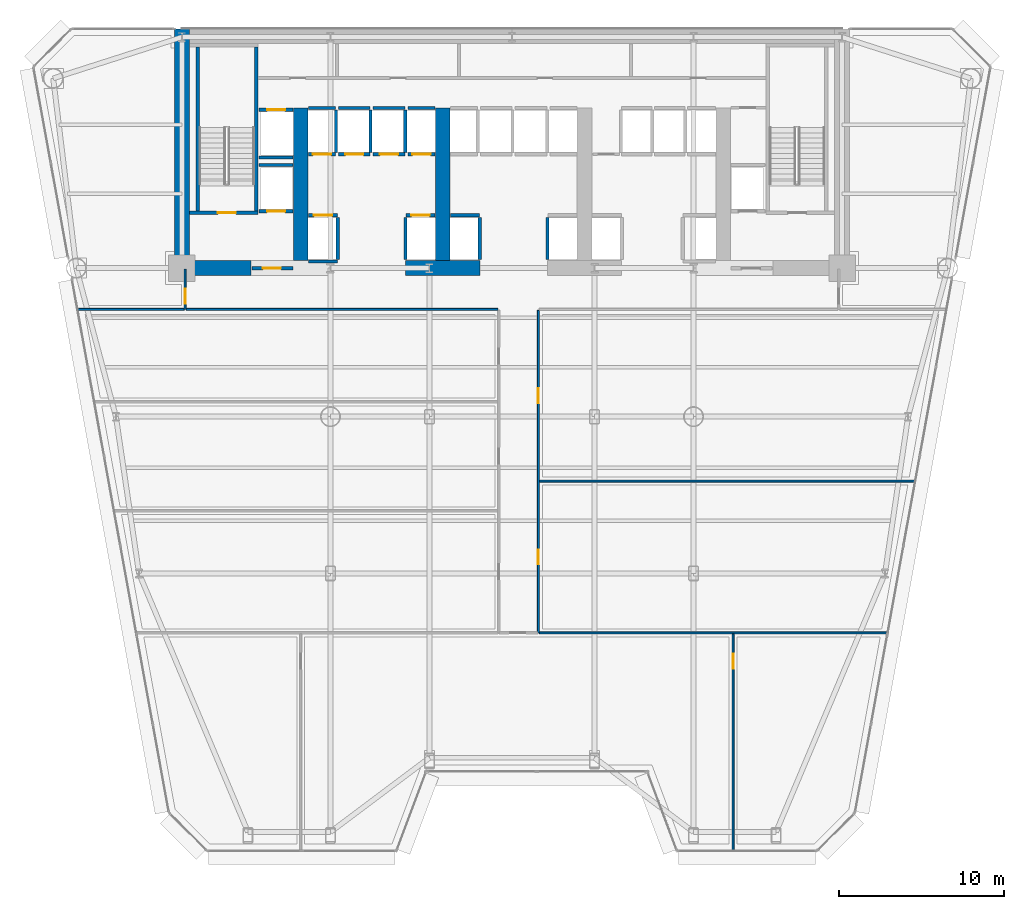
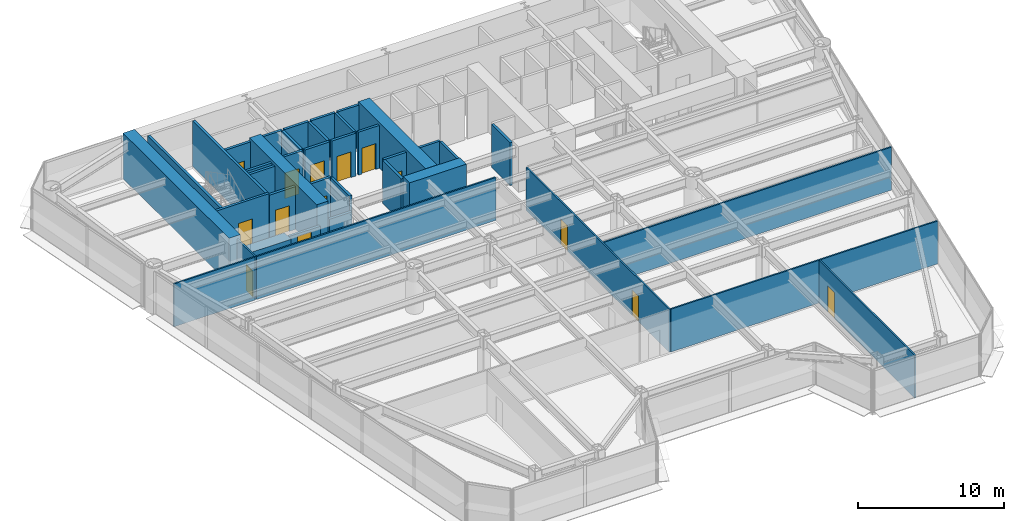
# One storey, part 8 of 14: 39 walls, 14 doors, 14 openings.
"""IFC4 building model written with IfcOpenShell, lengths in metres."""

import ifcopenshell
import ifcopenshell.guid

model = None  # the IFC model being written
_history = None  # IfcOwnerHistory: only IFC2X3 demands one
_inside = {}  # id of a spatial element -> (the spatial element, [elements in it])
_under = {}  # id of a project, library or spatial element -> (it, [spatial elements below it])
_declared = {}  # id of a project -> (the project, [libraries it declares])
_typed = {}  # id of a type object -> (the type object, [elements of that type])
_made_of = {}  # id of a material, layer set ... -> (it, [elements and type objects made of it])


def new_model(schema):
    """Start an empty IFC model of exactly this schema.

    Asked for "IFC4X3", IfcOpenShell would pick the latest addendum, in which some entities
    have other attributes; the version numbers below select the first issue.
    IFC2X3 requires an IfcOwnerHistory on every rooted entity: one is made here for all.
    """
    global model, _history
    if schema == "IFC4X3":
        model = ifcopenshell.file(schema_version=(4, 3, 0, 0))
    else:
        model = ifcopenshell.file(schema=schema)
    _inside.clear()
    _under.clear()
    _declared.clear()
    _typed.clear()
    _made_of.clear()
    _history = None
    if model.schema == "IFC2X3":
        org = make("IfcOrganization", Name="unknown")
        user = make(
            "IfcPersonAndOrganization",
            ThePerson=make("IfcPerson", FamilyName="unknown"),
            TheOrganization=org,
        )
        app = make(
            "IfcApplication",
            ApplicationDeveloper=org,
            Version="unknown",
            ApplicationFullName="unknown",
            ApplicationIdentifier="unknown",
        )
        _history = make(
            "IfcOwnerHistory",
            OwningUser=user,
            OwningApplication=app,
            ChangeAction="ADDED",
            CreationDate=0,
        )
    return model


def make(cls, **values):
    """One entity of the class cls with the attributes given. An attribute that is None is left unset."""
    return model.create_entity(
        cls, **{name: value for name, value in values.items() if value is not None}
    )


def rooted(cls, **values):
    """An entity with a GlobalId (a new one), such as an element, a storey or a relation."""
    return make(cls, GlobalId=ifcopenshell.guid.new(), OwnerHistory=_history, **values)


def si_unit(unit_type, name, prefix=None):
    """IfcSIUnit, for example si_unit("LENGTHUNIT", "METRE", prefix="MILLI")."""
    return make("IfcSIUnit", UnitType=unit_type, Prefix=prefix, Name=name)


def assignment(units):
    """IfcUnitAssignment: the units of a project."""
    return None if units is None else make("IfcUnitAssignment", Units=units)


def point(xyz):
    """IfcCartesianPoint."""
    return None if xyz is None else make("IfcCartesianPoint", Coordinates=xyz)


def direction(xyz):
    """IfcDirection."""
    return None if xyz is None else make("IfcDirection", DirectionRatios=xyz)


def frame(location, z_axis=None, x_axis=None):
    """IfcAxis2Placement3D, a coordinate frame: its origin and axes. An axis left out is left unset."""
    return make(
        "IfcAxis2Placement3D",
        Location=point(location),
        Axis=direction(z_axis),
        RefDirection=direction(x_axis),
    )


def frame_2d(location, x_axis=None):
    """IfcAxis2Placement2D, a coordinate frame in the plane: its origin and x axis."""
    return make(
        "IfcAxis2Placement2D", Location=point(location), RefDirection=direction(x_axis)
    )


def origin():
    """The frame at (0, 0, 0) with its axes left unset."""
    return frame((0.0, 0.0, 0.0))


def place(relative_to, where):
    """IfcLocalPlacement: puts the frame where relative to a parent placement (None: the world)."""
    return make(
        "IfcLocalPlacement", PlacementRelTo=relative_to, RelativePlacement=where
    )


def context(
    kind, dimensions, precision=None, world=None, true_north=None, identifier=None
):
    """IfcGeometricRepresentationContext, for example the 3D "Model" context."""
    return make(
        "IfcGeometricRepresentationContext",
        ContextIdentifier=identifier,
        ContextType=kind,
        CoordinateSpaceDimension=dimensions,
        Precision=precision,
        WorldCoordinateSystem=world,
        TrueNorth=true_north,
    )


def subcontext(parent, identifier, kind, view, scale=None):
    """IfcGeometricRepresentationSubContext, for example "Body" below "Model"."""
    return make(
        "IfcGeometricRepresentationSubContext",
        ContextIdentifier=identifier,
        ContextType=kind,
        ParentContext=parent,
        TargetScale=scale,
        TargetView=view,
    )


def project(units=None, contexts=None):
    """IfcProject with its units and contexts."""
    return rooted(
        "IfcProject",
        Name="project",
        RepresentationContexts=contexts,
        UnitsInContext=assignment(units),
    )


def spatial(cls, under=None, at=None, **own):
    """A site, building, storey or space (cls), placed at a placement, below another one or the project."""
    s = rooted(cls, ObjectPlacement=at, **own)
    if under is not None:
        _under.setdefault(under.id(), (under, []))[1].append(s)
    return s


def profile(cls, at=None, kind="AREA", **sizes):
    """A parametric profile (cls). Its sizes go by their IFC names, for example OverallWidth=200.0."""
    return make(cls, ProfileType=kind, Position=at, **sizes)


def rectangle(**sizes):
    """IfcRectangleProfileDef."""
    return profile("IfcRectangleProfileDef", **sizes)


def extrude(swept, where, along, depth):
    """IfcExtrudedAreaSolid: the profile swept, set in the frame where, extruded along a direction by depth."""
    return make(
        "IfcExtrudedAreaSolid",
        SweptArea=swept,
        Position=where,
        ExtrudedDirection=direction(along),
        Depth=depth,
    )


def shape(context_of_items, identifier, shape_type, items):
    """IfcShapeRepresentation: the items that make up one representation, for example the "Body"."""
    return make(
        "IfcShapeRepresentation",
        ContextOfItems=context_of_items,
        RepresentationIdentifier=identifier,
        RepresentationType=shape_type,
        Items=items,
    )


def source(mapping_origin, context_of_items, identifier, shape_type, items):
    """IfcRepresentationMap: a shape defined once, which mapped items show again and again."""
    return make(
        "IfcRepresentationMap",
        MappingOrigin=mapping_origin,
        MappedRepresentation=shape(context_of_items, identifier, shape_type, items),
    )


def transform(
    local_origin,
    x_axis=None,
    y_axis=None,
    z_axis=None,
    scale=None,
    scale2=None,
    scale3=None,
    uniform=True,
):
    """IfcCartesianTransformationOperator3D, or its non-uniform kind. x_axis, y_axis, z_axis: its Axis1, 2, 3."""
    if uniform:
        return make(
            "IfcCartesianTransformationOperator3D",
            Axis1=direction(x_axis),
            Axis2=direction(y_axis),
            LocalOrigin=point(local_origin),
            Scale=scale,
            Axis3=direction(z_axis),
        )
    return make(
        "IfcCartesianTransformationOperator3DnonUniform",
        Axis1=direction(x_axis),
        Axis2=direction(y_axis),
        LocalOrigin=point(local_origin),
        Scale=scale,
        Axis3=direction(z_axis),
        Scale2=scale2,
        Scale3=scale3,
    )


def mapped(mapping_source, mapping_target):
    """IfcMappedItem: shows the shape of a source again, moved by a transform."""
    return make(
        "IfcMappedItem", MappingSource=mapping_source, MappingTarget=mapping_target
    )


def material(Name=None, Category=None):
    """IfcMaterial."""
    return make("IfcMaterial", Name=Name, Category=Category)


def layer(
    of_material, thickness, ventilated=None, Name=None, Category=None, Priority=None
):
    """IfcMaterialLayer: one layer of a wall or slab, of a material (None: an air gap)."""
    return make(
        "IfcMaterialLayer",
        Material=of_material,
        LayerThickness=thickness,
        IsVentilated=ventilated,
        Name=Name,
        Category=Category,
        Priority=Priority,
    )


def layer_set(layers, Name=None):
    """IfcMaterialLayerSet."""
    return make("IfcMaterialLayerSet", MaterialLayers=layers, LayerSetName=Name)


def made_of(thing, what):
    """Note that an element or type object is made of a material, layer set ...; save() writes the relation."""
    if what is not None:
        _made_of.setdefault(what.id(), (what, []))[1].append(thing)
    return thing


def type_object(cls, material=None, **own):
    """A type object (cls), such as IfcWallType, which elements share."""
    return made_of(rooted(cls, **own), material)


def element(
    cls,
    number,
    at=None,
    inside=None,
    cuts=None,
    type_object=None,
    material=None,
    context=None,
    identifier="Body",
    shape_type=None,
    held_by="IfcProductDefinitionShape",
    body=None,
    shapes=None,
    **own,
):
    """One element of the class cls, such as IfcWall. Its Tag is "e" and its number.

    at: its placement. inside: the storey or other place that contains it. cuts: it is an
    opening in that element (IfcRelVoidsElement). A single representation is given by context,
    identifier, shape_type and body (its items); several are given by shapes. held_by: the class
    of the entity that holds the representations. save() writes the other relations.
    """
    e = rooted(cls, Tag="e%d" % number, ObjectPlacement=at, **own)
    if body is not None:
        shapes = [shape(context, identifier, shape_type, body)]
    if shapes is not None:
        e.Representation = make(held_by, Representations=shapes)
    if inside is not None:
        _inside.setdefault(inside.id(), (inside, []))[1].append(e)
    if cuts is not None:
        rooted(
            "IfcRelVoidsElement", RelatingBuildingElement=cuts, RelatedOpeningElement=e
        )
    if type_object is not None:
        _typed.setdefault(type_object.id(), (type_object, []))[1].append(e)
    return made_of(e, material)


def fill(opening, filler):
    """IfcRelFillsElement: the door or window that sits in an opening."""
    return rooted(
        "IfcRelFillsElement",
        RelatingOpeningElement=opening,
        RelatedBuildingElement=filler,
    )


def aggregate(whole, parts):
    """IfcRelAggregates: a whole, such as a stair, and the parts it consists of."""
    return rooted("IfcRelAggregates", RelatingObject=whole, RelatedObjects=parts)


def save(model, path):
    """Write the relations noted so far, then the file.

    IfcRelAggregates (storeys below a building ...), IfcRelContainedInSpatialStructure (elements
    in a storey), IfcRelDefinesByType, IfcRelAssociatesMaterial and IfcRelDeclares: one each for
    every whole, place, type object, material and project.
    """
    for whole, parts in _under.values():
        aggregate(whole, parts)
    for where, things in _inside.values():
        rooted(
            "IfcRelContainedInSpatialStructure",
            RelatedElements=things,
            RelatingStructure=where,
        )
    for kind, things in _typed.values():
        rooted("IfcRelDefinesByType", RelatedObjects=things, RelatingType=kind)
    for what, things in _made_of.values():
        rooted("IfcRelAssociatesMaterial", RelatedObjects=things, RelatingMaterial=what)
    for by, libraries in _declared.values():
        rooted("IfcRelDeclares", RelatingContext=by, RelatedDefinitions=libraries)
    model.write(path)


model = new_model("IFC4")

# Units and contexts
model_context = context("Model", 3, precision=1e-05, world=origin(), true_north=direction((0.0, 1.0)))
body_context = subcontext(model_context, "Body", "Model", "MODEL_VIEW")
ifc_project = project(units=[si_unit("LENGTHUNIT", "METRE"), si_unit("AREAUNIT", "SQUARE_METRE"), si_unit("VOLUMEUNIT", "CUBIC_METRE"), si_unit("PLANEANGLEUNIT", "RADIAN"), si_unit("MASSUNIT", "GRAM", prefix="KILO")], contexts=[model_context])

# Site, building, storey
site_placement = place(None, origin())
site = spatial("IfcSite", under=ifc_project, at=site_placement, CompositionType="ELEMENT")
building_placement = place(site_placement, origin())
building = spatial("IfcBuilding", under=site, at=building_placement, Name="Vaeldorn Concourse Tower", CompositionType="ELEMENT")
storey_placement = place(building_placement, frame((0.0, 0.0, 37.800048828125)))
storey = spatial("IfcBuildingStorey", under=building, at=storey_placement, Name="L09", CompositionType="ELEMENT", Elevation=37.800048828125)

# Walls
ifc_material_1 = material(Name="Concrete C60/75", Category="concrete")
ifc_layer_1 = layer(ifc_material_1, 0.89990234375)
ifc_layer_set_1 = layer_set([ifc_layer_1], Name="Concrete C60/75")
wall_type_1 = type_object("IfcWallType", Name="WL-CORE-900", PredefinedType="SHEAR", material=ifc_layer_set_1)
wall_1_placement = place(storey_placement, frame((14.0, 36.5, 0.0), z_axis=(0.0, 0.0, 1.0), x_axis=(0.0, 1.0, 0.0)))
element("IfcWall", 1, at=wall_1_placement, inside=storey, type_object=wall_type_1, Name="Rear Core Shear Wall L09 W1", PredefinedType="SHEAR", context=body_context, shape_type="SweptSolid", body=[
    extrude(rectangle(XDim=14.5, YDim=0.89990234375, at=frame_2d((7.25, 0.0))), origin(), (0.0, 0.0, 1.0), 3.800048828125),
])
wall_2_placement = place(storey_placement, frame((14.469970703125, 36.5, 0.0), z_axis=(0.0, 0.0, 1.0), x_axis=(1.0, 0.0, 0.0)))
element("IfcWall", 2, at=wall_2_placement, inside=storey, type_object=wall_type_1, Name="Rear Core Shear Wall L09 S1", PredefinedType="SHEAR", context=body_context, shape_type="SweptSolid", body=[
    extrude(rectangle(XDim=3.72998046875, YDim=0.89990234375, at=frame_2d((1.864990234375, 0.0))), origin(), (0.0, 0.0, 1.0), 2.3798828125),
])
wall_3_placement = place(storey_placement, frame((27.550048828125, 36.5, 0.0), z_axis=(0.0, 0.0, 1.0), x_axis=(1.0, 0.0, 0.0)))
element("IfcWall", 3, at=wall_3_placement, inside=storey, type_object=wall_type_1, Name="Rear Core Shear Wall L09 S2", PredefinedType="SHEAR", context=body_context, shape_type="SweptSolid", body=[
    extrude(rectangle(XDim=4.5, YDim=0.89990234375, at=frame_2d((2.25, 0.0))), origin(), (0.0, 0.0, 1.0), 3.800048828125),
])
for number, where, z_axis, x_axis, name in (
    (4, (21.199951171875, 36.969970703125, 0.0), (0.0, 0.0, 1.0), (0.0, 1.0, 0.0), "Rear Core Shear Wall L09 M1"),
    (5, (29.800048828125, 36.969970703125, 0.0), (0.0, 0.0, 1.0), (0.0, 1.0, 0.0), "Rear Core Shear Wall L09 M2"),
):
    element("IfcWall", number, at=place(storey_placement, frame(where, z_axis=z_axis, x_axis=x_axis)), inside=storey, type_object=wall_type_1, Name=name, PredefinedType="SHEAR", context=body_context, shape_type="SweptSolid", body=[
        extrude(rectangle(XDim=9.22998046875, YDim=0.89990234375, at=frame_2d((4.614990234375, 0.0))), origin(), (0.0, 0.0, 1.0), 3.800048828125),
    ])
ifc_material_2 = material(Name="Gypsum Board Partition", Category="gypsum")
ifc_layer_2 = layer(ifc_material_2, 0.1201171875)
ifc_layer_set_2 = layer_set([ifc_layer_2], Name="Gypsum Board Partition")
wall_type_2 = type_object("IfcWallType", Name="WL-PART-120", PredefinedType="PARTITIONING", material=ifc_layer_set_2)
wall_4_placement = place(storey_placement, frame((14.260009765625, 34.0, 0.0), z_axis=(0.0, 0.0, 1.0), x_axis=(1.0, 0.0, 0.0)))
element("IfcWall", 6, at=wall_4_placement, inside=storey, type_object=wall_type_2, Name="Interior Wall PW-L09-C3SW", PredefinedType="PARTITIONING", context=body_context, shape_type="SweptSolid", body=[
    extrude(rectangle(XDim=18.8798828125, YDim=0.1201171875, at=frame_2d((9.43994140625, 0.0))), origin(), (0.0, 0.0, 1.0), 3.579833984375),
])

# Wall, opening, door
wall_5_placement = place(storey_placement, frame((14.199951171875, 34.0, 0.0), z_axis=(0.0, 0.0, 1.0), x_axis=(0.0, 1.0, 0.0)))
wall_5 = element("IfcWall", 7, at=wall_5_placement, inside=storey, type_object=wall_type_2, Name="Interior Wall PW-L09-C3W", PredefinedType="PARTITIONING", context=body_context, shape_type="SweptSolid", body=[
    extrude(rectangle(XDim=2.43994140625, YDim=0.1201171875, at=frame_2d((1.219970703125, 0.0))), origin(), (0.0, 0.0, 1.0), 3.579833984375),
])
opening_1_placement = place(wall_5_placement, frame((0.35009765625, 0.0, 0.0)))
opening_1 = element("IfcOpeningElement", 8, at=opening_1_placement, cuts=wall_5, Name="Opening D-03", PredefinedType="OPENING", context=body_context, shape_type="SweptSolid", body=[
    extrude(rectangle(XDim=0.89990234375, YDim=2.14990234375, at=frame_2d((0.449951171875, 1.074951171875))), frame((0.0, 0.070068359375, 0.0), z_axis=(0.0, -1.0, 0.0), x_axis=(1.0, 0.0, 0.0)), (0.0, 0.0, 1.0), 0.14013671875),
])
ifc_material_3 = material(Name="Acoustic Bronze-Framed Glass Door", Category="glass")
door_type_1 = type_object("IfcDoorType", Name="DR-INT-900", OperationType="NOTDEFINED", PredefinedType="DOOR", material=ifc_material_3)
shared_shape_1 = source(origin(), body_context, "Body", "SweptSolid", [
    extrude(rectangle(XDim=0.89990234375, YDim=2.14990234375, at=frame_2d((0.449951171875, 1.074951171875))), frame((0.0, 0.02490234375, 0.0), z_axis=(0.0, -1.0, 0.0), x_axis=(1.0, 0.0, 0.0)), (0.0, 0.0, 1.0), 0.050048828125),
])
door_1_placement = place(opening_1_placement, origin())
door_1 = element("IfcDoor", 9, at=door_1_placement, inside=storey, type_object=door_type_1, Name="Interior Door DR-L09-Z3NW", OperationType="SINGLE_SWING_LEFT", OverallHeight=2.14990234375, OverallWidth=0.89990234375, PredefinedType="DOOR", context=body_context, shape_type="MappedRepresentation", body=[
    mapped(shared_shape_1, transform((0.0, 0.0, 0.0), scale=1.0)),
])
fill(opening_1, door_1)

# Wall, openings, doors
wall_6_placement = place(storey_placement, frame((35.60009765625, 14.39990234375, 0.0), z_axis=(0.0, 0.0, 1.0), x_axis=(0.0, 1.0, 0.0)))
wall_6 = element("IfcWall", 10, at=wall_6_placement, inside=storey, type_object=wall_type_2, Name="Interior Wall PW-L09-CSPE", PredefinedType="PARTITIONING", context=body_context, shape_type="SweptSolid", body=[
    extrude(rectangle(XDim=19.5400390625, YDim=0.1201171875, at=frame_2d((9.77001953125, 0.0))), origin(), (0.0, 0.0, 1.0), 3.579833984375),
])
opening_2_placement = place(wall_6_placement, frame((4.14990234375, 0.0, 0.0)))
opening_2 = element("IfcOpeningElement", 11, at=opening_2_placement, cuts=wall_6, Name="Opening D-03", PredefinedType="OPENING", context=body_context, shape_type="SweptSolid", body=[
    extrude(rectangle(XDim=0.89990234375, YDim=2.14990234375, at=frame_2d((0.449951171875, 1.074951171875))), frame((0.0, 0.070068359375, 0.0), z_axis=(0.0, -1.0, 0.0), x_axis=(1.0, 0.0, 0.0)), (0.0, 0.0, 1.0), 0.14013671875),
])
opening_3_placement = place(wall_6_placement, frame((13.919921875, 0.0, 0.0)))
opening_3 = element("IfcOpeningElement", 12, at=opening_3_placement, cuts=wall_6, Name="Opening D-03", PredefinedType="OPENING", context=body_context, shape_type="SweptSolid", body=[
    extrude(rectangle(XDim=0.89990234375, YDim=2.14990234375, at=frame_2d((0.449951171875, 1.074951171875))), frame((0.0, 0.070068359375, 0.0), z_axis=(0.0, -1.0, 0.0), x_axis=(1.0, 0.0, 0.0)), (0.0, 0.0, 1.0), 0.14013671875),
])
door_2_placement = place(opening_2_placement, origin())
door_2 = element("IfcDoor", 13, at=door_2_placement, inside=storey, type_object=door_type_1, Name="Interior Door DR-L09-Z3E1", OperationType="SINGLE_SWING_RIGHT", OverallHeight=2.14990234375, OverallWidth=0.89990234375, PredefinedType="DOOR", context=body_context, shape_type="MappedRepresentation", body=[
    mapped(shared_shape_1, transform((0.0, 0.0, 0.0), scale=1.0)),
])
fill(opening_2, door_2)
door_3_placement = place(opening_3_placement, origin())
door_3 = element("IfcDoor", 14, at=door_3_placement, inside=storey, type_object=door_type_1, Name="Interior Door DR-L09-Z3E2", OperationType="SINGLE_SWING_LEFT", OverallHeight=2.14990234375, OverallWidth=0.89990234375, PredefinedType="DOOR", context=body_context, shape_type="MappedRepresentation", body=[
    mapped(shared_shape_1, transform((0.0, 0.0, 0.0), scale=1.0)),
])
fill(opening_3, door_3)

# Walls
wall_7_placement = place(storey_placement, frame((7.71240234375, 34.0, 0.0), z_axis=(0.0, 0.0, 1.0), x_axis=(1.0, 0.0, 0.0)))
element("IfcWall", 15, at=wall_7_placement, inside=storey, type_object=wall_type_2, Name="Interior Wall PW-L09-Z3NWB", PredefinedType="PARTITIONING", context=body_context, shape_type="SweptSolid", body=[
    extrude(rectangle(XDim=6.427490234375, YDim=0.1201171875, at=frame_2d((3.2138671875, 0.0))), origin(), (0.0, 0.0, 1.0), 3.579833984375),
])
wall_8_placement = place(storey_placement, frame((35.659912109375, 23.60009765625, 0.0), z_axis=(0.0, 0.0, 1.0), x_axis=(1.0, 0.0, 0.0)))
element("IfcWall", 16, at=wall_8_placement, inside=storey, type_object=wall_type_2, Name="Interior Wall PW-L09-Z3EY1", PredefinedType="PARTITIONING", context=body_context, shape_type="SweptSolid", body=[
    extrude(rectangle(XDim=22.737060546875, YDim=0.1201171875, at=frame_2d((11.36865234375, 0.0))), origin(), (0.0, 0.0, 1.0), 3.579833984375),
])
wall_9_placement = place(storey_placement, frame((35.659912109375, 14.39990234375, 0.0), z_axis=(0.0, 0.0, 1.0), x_axis=(1.0, 0.0, 0.0)))
element("IfcWall", 17, at=wall_9_placement, inside=storey, type_object=wall_type_2, Name="Interior Wall PW-L09-Z3SEL", PredefinedType="PARTITIONING", context=body_context, shape_type="SweptSolid", body=[
    extrude(rectangle(XDim=21.064697265625, YDim=0.1201171875, at=frame_2d((10.5322265625, 0.0))), origin(), (0.0, 0.0, 1.0), 3.579833984375),
])

# Wall, opening, door
wall_10_placement = place(storey_placement, frame((47.39990234375, 1.2353515625, 0.0), z_axis=(0.0, 0.0, 1.0), x_axis=(0.0, 1.0, 0.0)))
wall_10 = element("IfcWall", 18, at=wall_10_placement, inside=storey, type_object=wall_type_2, Name="Interior Wall PW-L09-Z3SX2", PredefinedType="PARTITIONING", context=body_context, shape_type="SweptSolid", body=[
    extrude(rectangle(XDim=13.104736328125, YDim=0.1201171875, at=frame_2d((6.55224609375, 0.0))), origin(), (0.0, 0.0, 1.0), 3.579833984375),
])
opening_4_placement = place(wall_10_placement, frame((11.0048828125, 0.0, 0.0)))
opening_4 = element("IfcOpeningElement", 19, at=opening_4_placement, cuts=wall_10, Name="Opening D-03", PredefinedType="OPENING", context=body_context, shape_type="SweptSolid", body=[
    extrude(rectangle(XDim=0.89990234375, YDim=2.14990234375, at=frame_2d((0.449951171875, 1.074951171875))), frame((0.0, 0.070068359375, 0.0), z_axis=(0.0, -1.0, 0.0), x_axis=(1.0, 0.0, 0.0)), (0.0, 0.0, 1.0), 0.14013671875),
])
door_4_placement = place(opening_4_placement, origin())
door_4 = element("IfcDoor", 20, at=door_4_placement, inside=storey, type_object=door_type_1, Name="Interior Door DR-L09-Z3SX2", OperationType="SINGLE_SWING_LEFT", OverallHeight=2.14990234375, OverallWidth=0.89990234375, PredefinedType="DOOR", context=body_context, shape_type="MappedRepresentation", body=[
    mapped(shared_shape_1, transform((0.0, 0.0, 0.0), scale=1.0)),
])
fill(opening_4, door_4)

ifc_material_4 = material(Name="Concrete C50/60", Category="concrete")
ifc_layer_3 = layer(ifc_material_4, 0.199951171875)
ifc_layer_set_3 = layer_set([ifc_layer_3], Name="Concrete C50/60")
wall_type_3 = type_object("IfcWallType", Name="WL-SHAFT-200", PredefinedType="SOLIDWALL", material=ifc_layer_set_3)
wall_11_placement = place(storey_placement, frame((14.449951171875, 39.85009765625, 0.0), z_axis=(0.0, 0.0, 1.0), x_axis=(1.0, 0.0, 0.0)))
wall_11 = element("IfcWall", 21, at=wall_11_placement, inside=storey, type_object=wall_type_3, Name="Stair Shaft Wall CW-L09-ST-1-S", PredefinedType="SOLIDWALL", context=body_context, shape_type="SweptSolid", body=[
    extrude(rectangle(XDim=4.150146484375, YDim=0.199951171875, at=frame_2d((2.0751953125, 0.0))), origin(), (0.0, 0.0, 1.0), 3.800048828125),
])
opening_5_placement = place(wall_11_placement, frame((1.72509765625, 0.0, 0.0)))
opening_5 = element("IfcOpeningElement", 22, at=opening_5_placement, cuts=wall_11, Name="Opening D-01", PredefinedType="OPENING", context=body_context, shape_type="SweptSolid", body=[
    extrude(rectangle(XDim=1.10009765625, YDim=2.14990234375, at=frame_2d((0.550048828125, 1.074951171875))), frame((0.0, 0.10986328125, 0.0), z_axis=(0.0, -1.0, 0.0), x_axis=(1.0, 0.0, 0.0)), (0.0, 0.0, 1.0), 0.219970703125),
])
ifc_material_5 = material(Name="Fire-Rated Timber and Steel Leaf", Category="steel")
door_type_2 = type_object("IfcDoorType", Name="DR-FD60-1100", OperationType="NOTDEFINED", PredefinedType="DOOR", material=ifc_material_5)
shared_shape_2 = source(origin(), body_context, "Body", "SweptSolid", [
    extrude(rectangle(XDim=1.10009765625, YDim=2.14990234375, at=frame_2d((0.550048828125, 1.074951171875))), frame((0.0, 0.02490234375, 0.0), z_axis=(0.0, -1.0, 0.0), x_axis=(1.0, 0.0, 0.0)), (0.0, 0.0, 1.0), 0.050048828125),
])
door_5_placement = place(opening_5_placement, origin())
door_5 = element("IfcDoor", 23, at=door_5_placement, inside=storey, type_object=door_type_2, Name="Interior Door DR-L09-ST-1", OperationType="SINGLE_SWING_LEFT", OverallHeight=2.14990234375, OverallWidth=1.10009765625, PredefinedType="DOOR", context=body_context, shape_type="MappedRepresentation", body=[
    mapped(shared_shape_2, transform((0.0, 0.0, 0.0), scale=1.0)),
])
fill(opening_5, door_5)

# Walls
for number, where, z_axis, x_axis, name in (
    (24, (14.949951171875, 39.9599609375, 0.0), (0.0, 0.0, 1.0), (0.0, 1.0, 0.0), "Stair Shaft Wall CW-L09-ST-1-W"),
    (25, (18.5, 39.9599609375, 0.0), (0.0, 0.0, 1.0), (0.0, 1.0, 0.0), "Stair Shaft Wall CW-L09-ST-1-E"),
):
    element("IfcWall", number, at=place(storey_placement, frame(where, z_axis=z_axis, x_axis=x_axis)), inside=storey, type_object=wall_type_3, Name=name, PredefinedType="SOLIDWALL", context=body_context, shape_type="SweptSolid", body=[
        extrude(rectangle(XDim=9.929931640625, YDim=0.199951171875, at=frame_2d((4.96484375, 0.0))), origin(), (0.0, 0.0, 1.0), 3.800048828125),
    ])

# Wall, opening, door
wall_12_placement = place(storey_placement, frame((18.25, 36.5, 0.0), z_axis=(0.0, 0.0, 1.0), x_axis=(1.0, 0.0, 0.0)))
wall_12 = element("IfcWall", 26, at=wall_12_placement, inside=storey, type_object=wall_type_3, Name="Interior Wall CW-L09-FF1S", PredefinedType="SOLIDWALL", context=body_context, shape_type="SweptSolid", body=[
    extrude(rectangle(XDim=2.469970703125, YDim=0.199951171875, at=frame_2d((1.23486328125, 0.0))), origin(), (0.0, 0.0, 1.0), 2.369873046875),
])
opening_6_placement = place(wall_12_placement, frame((0.64990234375, 0.0, 0.0)))
opening_6 = element("IfcOpeningElement", 27, at=opening_6_placement, cuts=wall_12, Name="Opening D-01", PredefinedType="OPENING", context=body_context, shape_type="SweptSolid", body=[
    extrude(rectangle(XDim=1.10009765625, YDim=2.14990234375, at=frame_2d((0.550048828125, 1.074951171875))), frame((0.0, 0.10986328125, 0.0), z_axis=(0.0, -1.0, 0.0), x_axis=(1.0, 0.0, 0.0)), (0.0, 0.0, 1.0), 0.219970703125),
])
door_6_placement = place(opening_6_placement, origin())
door_6 = element("IfcDoor", 28, at=door_6_placement, inside=storey, type_object=door_type_2, Name="Interior Door DR-L09-FF1E", OperationType="SINGLE_SWING_RIGHT", OverallHeight=2.14990234375, OverallWidth=1.10009765625, PredefinedType="DOOR", context=body_context, shape_type="MappedRepresentation", body=[
    mapped(shared_shape_2, transform((0.0, 0.0, 0.0), scale=1.0)),
])
fill(opening_6, door_6)

wall_13_placement = place(storey_placement, frame((21.659912109375, 39.699951171875, 0.0), z_axis=(0.0, 0.0, 1.0), x_axis=(1.0, 0.0, 0.0)))
wall_13 = element("IfcWall", 29, at=wall_13_placement, inside=storey, type_object=wall_type_3, Name="Interior Wall CW-L09-LF-LF-01", PredefinedType="SOLIDWALL", context=body_context, shape_type="SweptSolid", body=[
    extrude(rectangle(XDim=1.77001953125, YDim=0.199951171875, at=frame_2d((0.885009765625, 0.0))), origin(), (0.0, 0.0, 1.0), 3.579833984375),
])
opening_7_placement = place(wall_13_placement, frame((0.3349609375, 0.0, 0.0)))
opening_7 = element("IfcOpeningElement", 30, at=opening_7_placement, cuts=wall_13, Name="Opening LD-1", PredefinedType="OPENING", context=body_context, shape_type="SweptSolid", body=[
    extrude(rectangle(XDim=1.10009765625, YDim=2.14990234375, at=frame_2d((0.550048828125, 1.074951171875))), frame((0.0, 0.10986328125, 0.0), z_axis=(0.0, -1.0, 0.0), x_axis=(1.0, 0.0, 0.0)), (0.0, 0.0, 1.0), 0.219970703125),
])
ifc_material_6 = material(Name="Anodised Bronze Aluminium", Category="aluminium")
door_type_3 = type_object("IfcDoorType", Name="DR-LIFT-SLIDE-1100", OperationType="DOUBLE_DOOR_SLIDING", PredefinedType="DOOR", material=ifc_material_6)
door_7_placement = place(opening_7_placement, origin())
door_7 = element("IfcDoor", 31, at=door_7_placement, inside=storey, type_object=door_type_3, Name="Lift Landing Door LD-L09-LF-01", OperationType="DOUBLE_DOOR_SLIDING", OverallHeight=2.14990234375, OverallWidth=1.10009765625, PredefinedType="DOOR", context=body_context, shape_type="MappedRepresentation", body=[
    mapped(shared_shape_2, transform((0.0, 0.0, 0.0), scale=1.0)),
])
fill(opening_7, door_7)

# Walls
wall_14_placement = place(storey_placement, frame((21.659912109375, 36.89990234375, 0.0), z_axis=(0.0, 0.0, 1.0), x_axis=(1.0, 0.0, 0.0)))
element("IfcWall", 32, at=wall_14_placement, inside=storey, type_object=wall_type_3, Name="Interior Wall CW-L09-LFB-LF-01", PredefinedType="SOLIDWALL", context=body_context, shape_type="SweptSolid", body=[
    extrude(rectangle(XDim=1.77001953125, YDim=0.199951171875, at=frame_2d((0.885009765625, 0.0))), origin(), (0.0, 0.0, 1.0), 2.369873046875),
])
wall_15_placement = place(storey_placement, frame((23.449951171875, 37.02001953125, 0.0), z_axis=(0.0, 0.0, 1.0), x_axis=(0.0, 1.0, 0.0)))
element("IfcWall", 33, at=wall_15_placement, inside=storey, type_object=wall_type_3, Name="Interior Wall CW-L09-LFE-LF-01", PredefinedType="SOLIDWALL", context=body_context, shape_type="SweptSolid", body=[
    extrude(rectangle(XDim=2.56005859375, YDim=0.199951171875, at=frame_2d((1.280029296875, 0.0))), origin(), (0.0, 0.0, 1.0), 3.579833984375),
])

# Wall, opening, door
wall_16_placement = place(storey_placement, frame((27.570068359375, 39.699951171875, 0.0), z_axis=(0.0, 0.0, 1.0), x_axis=(1.0, 0.0, 0.0)))
wall_16 = element("IfcWall", 34, at=wall_16_placement, inside=storey, type_object=wall_type_3, Name="Interior Wall CW-L09-LF-LF-02", PredefinedType="SOLIDWALL", context=body_context, shape_type="SweptSolid", body=[
    extrude(rectangle(XDim=1.77001953125, YDim=0.199951171875, at=frame_2d((0.885009765625, 0.0))), origin(), (0.0, 0.0, 1.0), 3.579833984375),
])
opening_8_placement = place(wall_16_placement, frame((0.3349609375, 0.0, 0.0)))
opening_8 = element("IfcOpeningElement", 35, at=opening_8_placement, cuts=wall_16, Name="Opening LD-1", PredefinedType="OPENING", context=body_context, shape_type="SweptSolid", body=[
    extrude(rectangle(XDim=1.10009765625, YDim=2.14990234375, at=frame_2d((0.550048828125, 1.074951171875))), frame((0.0, 0.10986328125, 0.0), z_axis=(0.0, -1.0, 0.0), x_axis=(1.0, 0.0, 0.0)), (0.0, 0.0, 1.0), 0.219970703125),
])
door_8_placement = place(opening_8_placement, origin())
door_8 = element("IfcDoor", 36, at=door_8_placement, inside=storey, type_object=door_type_3, Name="Lift Landing Door LD-L09-LF-02", OperationType="DOUBLE_DOOR_SLIDING", OverallHeight=2.14990234375, OverallWidth=1.10009765625, PredefinedType="DOOR", context=body_context, shape_type="MappedRepresentation", body=[
    mapped(shared_shape_2, transform((0.0, 0.0, 0.0), scale=1.0)),
])
fill(opening_8, door_8)

# Wall
wall_17_placement = place(storey_placement, frame((27.550048828125, 37.02001953125, 0.0), z_axis=(0.0, 0.0, 1.0), x_axis=(0.0, 1.0, 0.0)))
element("IfcWall", 37, at=wall_17_placement, inside=storey, type_object=wall_type_3, Name="Interior Wall CW-L09-LFW-LF-02", PredefinedType="SOLIDWALL", context=body_context, shape_type="SweptSolid", body=[
    extrude(rectangle(XDim=2.56005859375, YDim=0.199951171875, at=frame_2d((1.280029296875, 0.0))), origin(), (0.0, 0.0, 1.0), 3.579833984375),
])

# Wall, opening, door
wall_18_placement = place(storey_placement, frame((21.659912109375, 43.39990234375, 0.0), z_axis=(0.0, 0.0, 1.0), x_axis=(1.0, 0.0, 0.0)))
wall_18 = element("IfcWall", 38, at=wall_18_placement, inside=storey, type_object=wall_type_3, Name="Interior Wall CW-L09-LF-LF-03", PredefinedType="SOLIDWALL", context=body_context, shape_type="SweptSolid", body=[
    extrude(rectangle(XDim=1.650146484375, YDim=0.199951171875, at=frame_2d((0.8251953125, 0.0))), origin(), (0.0, 0.0, 1.0), 3.579833984375),
])
opening_9_placement = place(wall_18_placement, frame((0.27490234375, 0.0, 0.0)))
opening_9 = element("IfcOpeningElement", 39, at=opening_9_placement, cuts=wall_18, Name="Opening LD-1", PredefinedType="OPENING", context=body_context, shape_type="SweptSolid", body=[
    extrude(rectangle(XDim=1.10009765625, YDim=2.14990234375, at=frame_2d((0.550048828125, 1.074951171875))), frame((0.0, 0.10986328125, 0.0), z_axis=(0.0, -1.0, 0.0), x_axis=(1.0, 0.0, 0.0)), (0.0, 0.0, 1.0), 0.219970703125),
])
door_9_placement = place(opening_9_placement, origin())
door_9 = element("IfcDoor", 40, at=door_9_placement, inside=storey, type_object=door_type_3, Name="Lift Landing Door LD-L09-LF-03", OperationType="DOUBLE_DOOR_SLIDING", OverallHeight=2.14990234375, OverallWidth=1.10009765625, PredefinedType="DOOR", context=body_context, shape_type="MappedRepresentation", body=[
    mapped(shared_shape_2, transform((0.0, 0.0, 0.0), scale=1.0)),
])
fill(opening_9, door_9)

# Walls
wall_19_placement = place(storey_placement, frame((21.659912109375, 46.199951171875, 0.0), z_axis=(0.0, 0.0, 1.0), x_axis=(1.0, 0.0, 0.0)))
element("IfcWall", 41, at=wall_19_placement, inside=storey, type_object=wall_type_3, Name="Interior Wall CW-L09-LFB-LF-03", PredefinedType="SOLIDWALL", context=body_context, shape_type="SweptSolid", body=[
    extrude(rectangle(XDim=1.650146484375, YDim=0.199951171875, at=frame_2d((0.8251953125, 0.0))), origin(), (0.0, 0.0, 1.0), 3.579833984375),
])
wall_20_placement = place(storey_placement, frame((23.330078125, 43.52001953125, 0.0), z_axis=(0.0, 0.0, 1.0), x_axis=(0.0, 1.0, 0.0)))
element("IfcWall", 42, at=wall_20_placement, inside=storey, type_object=wall_type_3, Name="Interior Wall CW-L09-LFE-LF-03", PredefinedType="SOLIDWALL", context=body_context, shape_type="SweptSolid", body=[
    extrude(rectangle(XDim=2.56005859375, YDim=0.199951171875, at=frame_2d((1.280029296875, 0.0))), origin(), (0.0, 0.0, 1.0), 3.579833984375),
])

# Wall, opening, door
wall_21_placement = place(storey_placement, frame((23.489990234375, 43.39990234375, 0.0), z_axis=(0.0, 0.0, 1.0), x_axis=(1.0, 0.0, 0.0)))
wall_21 = element("IfcWall", 43, at=wall_21_placement, inside=storey, type_object=wall_type_3, Name="Interior Wall CW-L09-LF-LF-04", PredefinedType="SOLIDWALL", context=body_context, shape_type="SweptSolid", body=[
    extrude(rectangle(XDim=1.919921875, YDim=0.199951171875, at=frame_2d((0.9599609375, 0.0))), origin(), (0.0, 0.0, 1.0), 3.579833984375),
])
opening_10_placement = place(wall_21_placement, frame((0.409912109375, 0.0, 0.0)))
opening_10 = element("IfcOpeningElement", 44, at=opening_10_placement, cuts=wall_21, Name="Opening LD-1", PredefinedType="OPENING", context=body_context, shape_type="SweptSolid", body=[
    extrude(rectangle(XDim=1.10009765625, YDim=2.14990234375, at=frame_2d((0.550048828125, 1.074951171875))), frame((0.0, 0.10986328125, 0.0), z_axis=(0.0, -1.0, 0.0), x_axis=(1.0, 0.0, 0.0)), (0.0, 0.0, 1.0), 0.219970703125),
])
door_10_placement = place(opening_10_placement, origin())
door_10 = element("IfcDoor", 45, at=door_10_placement, inside=storey, type_object=door_type_3, Name="Lift Landing Door LD-L09-LF-04", OperationType="DOUBLE_DOOR_SLIDING", OverallHeight=2.14990234375, OverallWidth=1.10009765625, PredefinedType="DOOR", context=body_context, shape_type="MappedRepresentation", body=[
    mapped(shared_shape_2, transform((0.0, 0.0, 0.0), scale=1.0)),
])
fill(opening_10, door_10)

# Walls
wall_22_placement = place(storey_placement, frame((23.489990234375, 46.199951171875, 0.0), z_axis=(0.0, 0.0, 1.0), x_axis=(1.0, 0.0, 0.0)))
element("IfcWall", 46, at=wall_22_placement, inside=storey, type_object=wall_type_3, Name="Interior Wall CW-L09-LFB-LF-04", PredefinedType="SOLIDWALL", context=body_context, shape_type="SweptSolid", body=[
    extrude(rectangle(XDim=1.919921875, YDim=0.199951171875, at=frame_2d((0.9599609375, 0.0))), origin(), (0.0, 0.0, 1.0), 3.579833984375),
])
wall_23_placement = place(storey_placement, frame((25.429931640625, 43.52001953125, 0.0), z_axis=(0.0, 0.0, 1.0), x_axis=(0.0, 1.0, 0.0)))
element("IfcWall", 47, at=wall_23_placement, inside=storey, type_object=wall_type_3, Name="Interior Wall CW-L09-LFE-LF-04", PredefinedType="SOLIDWALL", context=body_context, shape_type="SweptSolid", body=[
    extrude(rectangle(XDim=2.56005859375, YDim=0.199951171875, at=frame_2d((1.280029296875, 0.0))), origin(), (0.0, 0.0, 1.0), 3.579833984375),
])

# Wall, opening, door
wall_24_placement = place(storey_placement, frame((25.590087890625, 43.39990234375, 0.0), z_axis=(0.0, 0.0, 1.0), x_axis=(1.0, 0.0, 0.0)))
wall_24 = element("IfcWall", 48, at=wall_24_placement, inside=storey, type_object=wall_type_3, Name="Interior Wall CW-L09-LF-LF-05", PredefinedType="SOLIDWALL", context=body_context, shape_type="SweptSolid", body=[
    extrude(rectangle(XDim=1.919921875, YDim=0.199951171875, at=frame_2d((0.9599609375, 0.0))), origin(), (0.0, 0.0, 1.0), 3.579833984375),
])
opening_11_placement = place(wall_24_placement, frame((0.409912109375, 0.0, 0.0)))
opening_11 = element("IfcOpeningElement", 49, at=opening_11_placement, cuts=wall_24, Name="Opening LD-1", PredefinedType="OPENING", context=body_context, shape_type="SweptSolid", body=[
    extrude(rectangle(XDim=1.10009765625, YDim=2.14990234375, at=frame_2d((0.550048828125, 1.074951171875))), frame((0.0, 0.10986328125, 0.0), z_axis=(0.0, -1.0, 0.0), x_axis=(1.0, 0.0, 0.0)), (0.0, 0.0, 1.0), 0.219970703125),
])
door_11_placement = place(opening_11_placement, origin())
door_11 = element("IfcDoor", 50, at=door_11_placement, inside=storey, type_object=door_type_3, Name="Lift Landing Door LD-L09-LF-05", OperationType="DOUBLE_DOOR_SLIDING", OverallHeight=2.14990234375, OverallWidth=1.10009765625, PredefinedType="DOOR", context=body_context, shape_type="MappedRepresentation", body=[
    mapped(shared_shape_2, transform((0.0, 0.0, 0.0), scale=1.0)),
])
fill(opening_11, door_11)

# Walls
wall_25_placement = place(storey_placement, frame((25.590087890625, 46.199951171875, 0.0), z_axis=(0.0, 0.0, 1.0), x_axis=(1.0, 0.0, 0.0)))
element("IfcWall", 51, at=wall_25_placement, inside=storey, type_object=wall_type_3, Name="Interior Wall CW-L09-LFB-LF-05", PredefinedType="SOLIDWALL", context=body_context, shape_type="SweptSolid", body=[
    extrude(rectangle(XDim=1.919921875, YDim=0.199951171875, at=frame_2d((0.9599609375, 0.0))), origin(), (0.0, 0.0, 1.0), 3.579833984375),
])
wall_26_placement = place(storey_placement, frame((27.530029296875, 43.52001953125, 0.0), z_axis=(0.0, 0.0, 1.0), x_axis=(0.0, 1.0, 0.0)))
element("IfcWall", 52, at=wall_26_placement, inside=storey, type_object=wall_type_3, Name="Interior Wall CW-L09-LFE-LF-05", PredefinedType="SOLIDWALL", context=body_context, shape_type="SweptSolid", body=[
    extrude(rectangle(XDim=2.56005859375, YDim=0.199951171875, at=frame_2d((1.280029296875, 0.0))), origin(), (0.0, 0.0, 1.0), 3.579833984375),
])

# Wall, opening, door
wall_27_placement = place(storey_placement, frame((27.68994140625, 43.39990234375, 0.0), z_axis=(0.0, 0.0, 1.0), x_axis=(1.0, 0.0, 0.0)))
wall_27 = element("IfcWall", 53, at=wall_27_placement, inside=storey, type_object=wall_type_3, Name="Interior Wall CW-L09-LF-LF-06", PredefinedType="SOLIDWALL", context=body_context, shape_type="SweptSolid", body=[
    extrude(rectangle(XDim=1.650146484375, YDim=0.199951171875, at=frame_2d((0.8251953125, 0.0))), origin(), (0.0, 0.0, 1.0), 3.579833984375),
])
opening_12_placement = place(wall_27_placement, frame((0.27490234375, 0.0, 0.0)))
opening_12 = element("IfcOpeningElement", 54, at=opening_12_placement, cuts=wall_27, Name="Opening LD-1", PredefinedType="OPENING", context=body_context, shape_type="SweptSolid", body=[
    extrude(rectangle(XDim=1.10009765625, YDim=2.14990234375, at=frame_2d((0.550048828125, 1.074951171875))), frame((0.0, 0.10986328125, 0.0), z_axis=(0.0, -1.0, 0.0), x_axis=(1.0, 0.0, 0.0)), (0.0, 0.0, 1.0), 0.219970703125),
])
door_12_placement = place(opening_12_placement, origin())
door_12 = element("IfcDoor", 55, at=door_12_placement, inside=storey, type_object=door_type_3, Name="Lift Landing Door LD-L09-LF-06", OperationType="DOUBLE_DOOR_SLIDING", OverallHeight=2.14990234375, OverallWidth=1.10009765625, PredefinedType="DOOR", context=body_context, shape_type="MappedRepresentation", body=[
    mapped(shared_shape_2, transform((0.0, 0.0, 0.0), scale=1.0)),
])
fill(opening_12, door_12)

# Walls
wall_28_placement = place(storey_placement, frame((27.68994140625, 46.199951171875, 0.0), z_axis=(0.0, 0.0, 1.0), x_axis=(1.0, 0.0, 0.0)))
element("IfcWall", 56, at=wall_28_placement, inside=storey, type_object=wall_type_3, Name="Interior Wall CW-L09-LFB-LF-06", PredefinedType="SOLIDWALL", context=body_context, shape_type="SweptSolid", body=[
    extrude(rectangle(XDim=1.650146484375, YDim=0.199951171875, at=frame_2d((0.8251953125, 0.0))), origin(), (0.0, 0.0, 1.0), 3.579833984375),
])
wall_29_placement = place(storey_placement, frame((30.260009765625, 39.699951171875, 0.0), z_axis=(0.0, 0.0, 1.0), x_axis=(1.0, 0.0, 0.0)))
element("IfcWall", 57, at=wall_29_placement, inside=storey, type_object=wall_type_3, Name="Interior Wall CW-L09-LF-LF-07", PredefinedType="SOLIDWALL", context=body_context, shape_type="SweptSolid", body=[
    extrude(rectangle(XDim=1.77001953125, YDim=0.199951171875, at=frame_2d((0.885009765625, 0.0))), origin(), (0.0, 0.0, 1.0), 3.579833984375),
])
for number, where, z_axis, x_axis, name in (
    (58, (32.050048828125, 37.02001953125, 0.0), (0.0, 0.0, 1.0), (0.0, 1.0, 0.0), "Interior Wall CW-L09-LFE-LF-07"),
    (59, (36.14990234375, 37.02001953125, 0.0), (0.0, 0.0, 1.0), (0.0, 1.0, 0.0), "Interior Wall CW-L09-LFW-LF-08"),
):
    element("IfcWall", number, at=place(storey_placement, frame(where, z_axis=z_axis, x_axis=x_axis)), inside=storey, type_object=wall_type_3, Name=name, PredefinedType="SOLIDWALL", context=body_context, shape_type="SweptSolid", body=[
        extrude(rectangle(XDim=2.56005859375, YDim=0.199951171875, at=frame_2d((1.280029296875, 0.0))), origin(), (0.0, 0.0, 1.0), 3.579833984375),
    ])

# Wall, opening, door
wall_30_placement = place(storey_placement, frame((18.669921875, 46.10009765625, 0.0), z_axis=(0.0, 0.0, 1.0), x_axis=(1.0, 0.0, 0.0)))
wall_30 = element("IfcWall", 60, at=wall_30_placement, inside=storey, type_object=wall_type_3, Name="Interior Wall CW-L09-LF-LF-SV1", PredefinedType="SOLIDWALL", context=body_context, shape_type="SweptSolid", body=[
    extrude(rectangle(XDim=2.070068359375, YDim=0.199951171875, at=frame_2d((1.03515625, 0.0))), origin(), (0.0, 0.0, 1.0), 3.579833984375),
])
opening_13_placement = place(wall_30_placement, frame((0.485107421875, 0.0, 0.0)))
opening_13 = element("IfcOpeningElement", 61, at=opening_13_placement, cuts=wall_30, Name="Opening LD-1", PredefinedType="OPENING", context=body_context, shape_type="SweptSolid", body=[
    extrude(rectangle(XDim=1.10009765625, YDim=2.14990234375, at=frame_2d((0.550048828125, 1.074951171875))), frame((0.0, 0.10986328125, 0.0), z_axis=(0.0, -1.0, 0.0), x_axis=(1.0, 0.0, 0.0)), (0.0, 0.0, 1.0), 0.219970703125),
])
door_13_placement = place(opening_13_placement, origin())
door_13 = element("IfcDoor", 62, at=door_13_placement, inside=storey, type_object=door_type_3, Name="Lift Landing Door LD-L09-LF-SV1", OperationType="DOUBLE_DOOR_SLIDING", OverallHeight=2.14990234375, OverallWidth=1.10009765625, PredefinedType="DOOR", context=body_context, shape_type="MappedRepresentation", body=[
    mapped(shared_shape_2, transform((0.0, 0.0, 0.0), scale=1.0)),
])
fill(opening_13, door_13)

# Wall
wall_31_placement = place(storey_placement, frame((18.669921875, 43.199951171875, 0.0), z_axis=(0.0, 0.0, 1.0), x_axis=(1.0, 0.0, 0.0)))
element("IfcWall", 63, at=wall_31_placement, inside=storey, type_object=wall_type_3, Name="Interior Wall CW-L09-LFB-LF-SV1", PredefinedType="SOLIDWALL", context=body_context, shape_type="SweptSolid", body=[
    extrude(rectangle(XDim=2.070068359375, YDim=0.199951171875, at=frame_2d((1.03515625, 0.0))), origin(), (0.0, 0.0, 1.0), 3.579833984375),
])

# Wall, opening, door
wall_32_placement = place(storey_placement, frame((18.669921875, 39.949951171875, 0.0), z_axis=(0.0, 0.0, 1.0), x_axis=(1.0, 0.0, 0.0)))
wall_32 = element("IfcWall", 64, at=wall_32_placement, inside=storey, type_object=wall_type_3, Name="Interior Wall CW-L09-LF-LF-FF1", PredefinedType="SOLIDWALL", context=body_context, shape_type="SweptSolid", body=[
    extrude(rectangle(XDim=2.070068359375, YDim=0.199951171875, at=frame_2d((1.03515625, 0.0))), origin(), (0.0, 0.0, 1.0), 3.579833984375),
])
opening_14_placement = place(wall_32_placement, frame((0.485107421875, 0.0, 0.0)))
opening_14 = element("IfcOpeningElement", 65, at=opening_14_placement, cuts=wall_32, Name="Opening LD-1", PredefinedType="OPENING", context=body_context, shape_type="SweptSolid", body=[
    extrude(rectangle(XDim=1.10009765625, YDim=2.14990234375, at=frame_2d((0.550048828125, 1.074951171875))), frame((0.0, 0.10986328125, 0.0), z_axis=(0.0, -1.0, 0.0), x_axis=(1.0, 0.0, 0.0)), (0.0, 0.0, 1.0), 0.219970703125),
])
door_14_placement = place(opening_14_placement, origin())
door_14 = element("IfcDoor", 66, at=door_14_placement, inside=storey, type_object=door_type_3, Name="Lift Landing Door LD-L09-LF-FF1", OperationType="DOUBLE_DOOR_SLIDING", OverallHeight=2.14990234375, OverallWidth=1.10009765625, PredefinedType="DOOR", context=body_context, shape_type="MappedRepresentation", body=[
    mapped(shared_shape_2, transform((0.0, 0.0, 0.0), scale=1.0)),
])
fill(opening_14, door_14)

# Wall
wall_33_placement = place(storey_placement, frame((18.669921875, 42.75, 0.0), z_axis=(0.0, 0.0, 1.0), x_axis=(1.0, 0.0, 0.0)))
element("IfcWall", 67, at=wall_33_placement, inside=storey, type_object=wall_type_3, Name="Interior Wall CW-L09-LFB-LF-FF1", PredefinedType="SOLIDWALL", context=body_context, shape_type="SweptSolid", body=[
    extrude(rectangle(XDim=2.070068359375, YDim=0.199951171875, at=frame_2d((1.03515625, 0.0))), origin(), (0.0, 0.0, 1.0), 3.579833984375),
])

save(model, "model.ifc")
